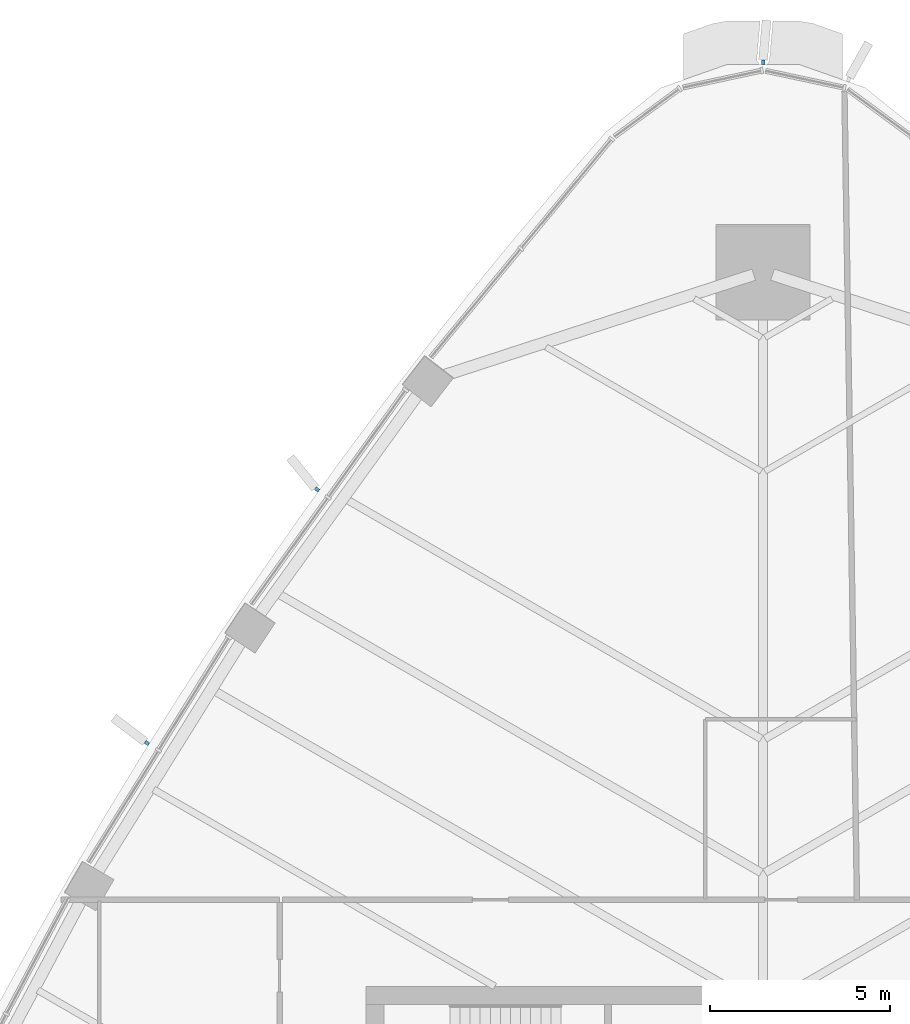
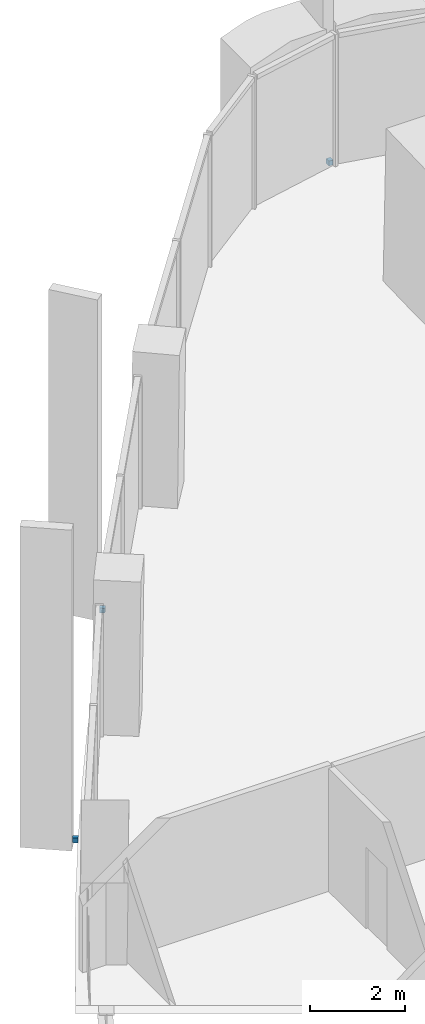
# One storey, part 15 of 20: 3 discrete accessories.
"""IFC4 building model written with IfcOpenShell, lengths in metres."""

from ifc_helpers import new_model, si_unit, direction, frame, origin, origin_2d, place, context, subcontext, project, spatial, rectangle, extrude, material, type_object, element, save


model = new_model("IFC4")

# Units and contexts
model_context = context("Model", 3, precision=1e-05, world=origin(), true_north=direction((0.0, 1.0)))
body_context = subcontext(model_context, "Body", "Model", "MODEL_VIEW")
ifc_project = project(units=[si_unit("LENGTHUNIT", "METRE"), si_unit("AREAUNIT", "SQUARE_METRE"), si_unit("VOLUMEUNIT", "CUBIC_METRE"), si_unit("PLANEANGLEUNIT", "RADIAN"), si_unit("MASSUNIT", "GRAM", prefix="KILO")], contexts=[model_context])

# Site, building, storey
site_placement = place(None, origin())
site = spatial("IfcSite", under=ifc_project, at=site_placement, CompositionType="ELEMENT")
building_placement = place(site_placement, origin())
building = spatial("IfcBuilding", under=site, at=building_placement, Name="Sierra Prisma Convention Tower", CompositionType="ELEMENT")
storey_placement = place(building_placement, frame((0.0, 0.0, 161.800048828125)))
storey = spatial("IfcBuildingStorey", under=building, at=storey_placement, Name="L35", CompositionType="ELEMENT", Elevation=161.800048828125)

# Discrete accessories
ifc_material = material(Name="Stainless steel 316", Category="steel")
discrete_accessory_type = type_object("IfcDiscreteAccessoryType", Name="Fin bracket", PredefinedType="BRACKET", material=ifc_material)
for number, where, z_axis, x_axis, name in (
    (1, (0.0, 33.615234375, -0.135009765625), (0.0, 0.0, 1.0), (0.0, 1.0, 0.0), "Fin bracket L35.41 base"),
    (2, (-12.36083984375, 21.772216796875, -0.135009765625), (0.0, 0.0, 1.0), (-0.811194819784, 0.584775995024, 0.0), "Fin bracket L35.47 base"),
    (3, (-17.07470703125, 14.74755859375, -0.135009765625), (0.0, 0.0, 1.0), (-0.845952818628, 0.533257750676, 0.0), "Fin bracket L35.50 base"),
):
    element("IfcDiscreteAccessory", number, at=place(storey_placement, frame(where, z_axis=z_axis, x_axis=x_axis)), inside=storey, type_object=discrete_accessory_type, Name=name, PredefinedType="BRACKET", context=body_context, shape_type="SweptSolid", body=[
        extrude(rectangle(XDim=0.1201171875, YDim=0.10009765625, at=origin_2d()), origin(), (0.0, 0.0, 1.0), 0.1201171875),
    ])

save(model, "model.ifc")
